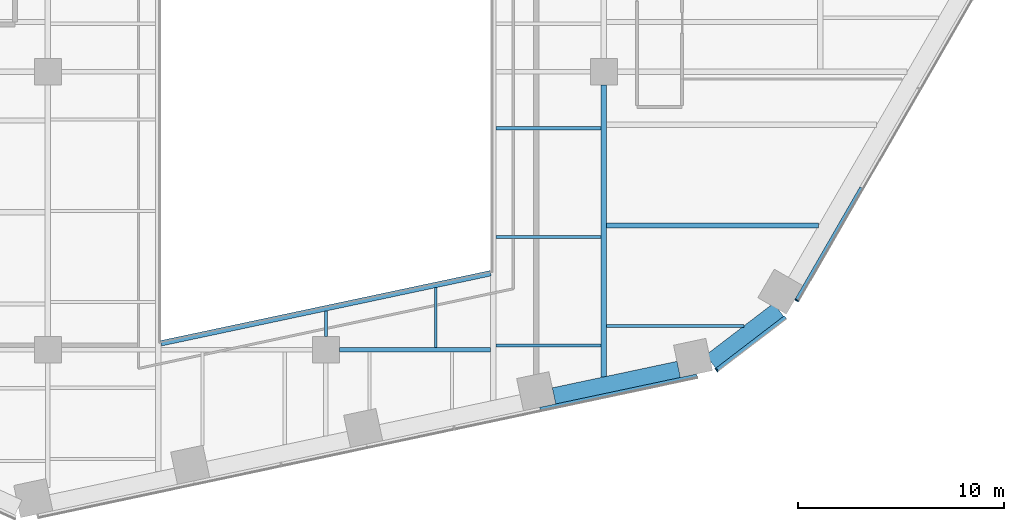
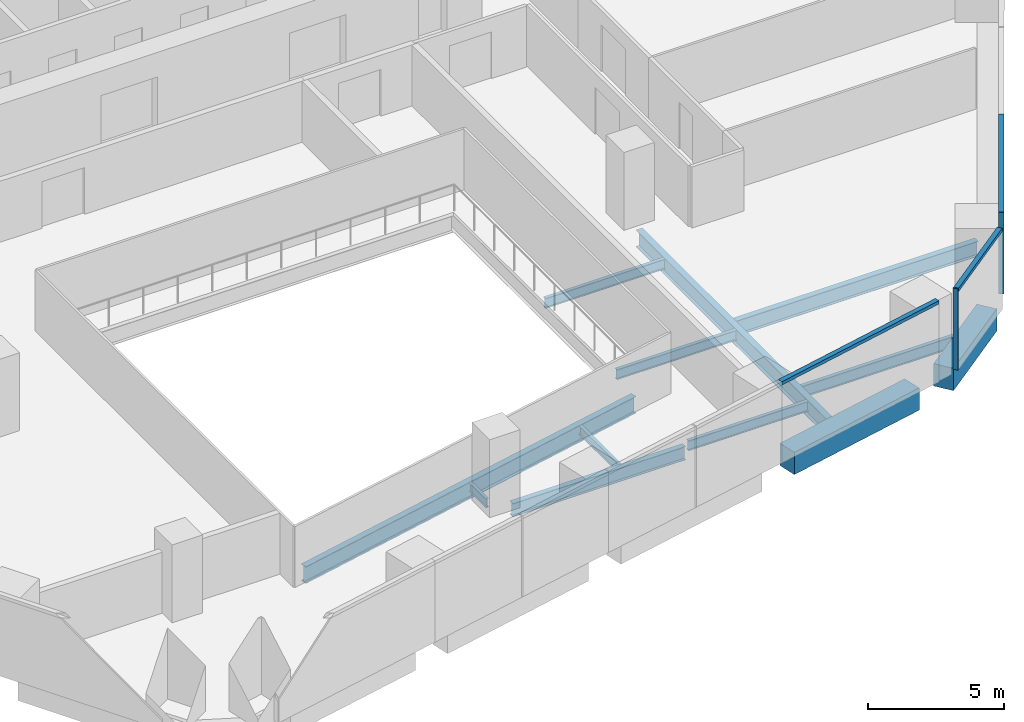
# One storey, part 5 of 21: 12 beams, 5 members, 3 elements without a shape of their own.
"""IFC4 building model written with IfcOpenShell, lengths in metres."""

from ifc_helpers import new_model, si_unit, direction, frame, origin, origin_2d, place, context, subcontext, project, spatial, rectangle, i_section, extrude, material, layer, layer_set, material_profile, profile_set, type_object, element, aggregate, save


model = new_model("IFC4")

# Units and contexts
model_context = context("Model", 3, precision=1e-05, world=origin(), true_north=direction((0.0, 1.0)))
body_context = subcontext(model_context, "Body", "Model", "MODEL_VIEW")
ifc_project = project(units=[si_unit("LENGTHUNIT", "METRE"), si_unit("AREAUNIT", "SQUARE_METRE"), si_unit("VOLUMEUNIT", "CUBIC_METRE"), si_unit("PLANEANGLEUNIT", "RADIAN"), si_unit("MASSUNIT", "GRAM", prefix="KILO")], contexts=[model_context])

# Site, building, storey
site_placement = place(None, origin())
site = spatial("IfcSite", under=ifc_project, at=site_placement, CompositionType="ELEMENT")
building_placement = place(site_placement, origin())
building = spatial("IfcBuilding", under=site, at=building_placement, Name="Isthmus Gate Tower", CompositionType="ELEMENT")
storey_placement = place(building_placement, frame((0.0, 0.0, 106.199951171875)))
storey = spatial("IfcBuildingStorey", under=building, at=storey_placement, Name="L25", CompositionType="ELEMENT", Elevation=106.199951171875)

# Curtain wall, member
ifc_material_1 = material(Name="Aluminium, pale champagne anodised", Category="aluminium")
ifc_layer = layer(ifc_material_1, 0.199951171875)
ifc_layer_set = layer_set([ifc_layer], Name="CW-1 UNITISED CURTAIN WALL 200 DEEP")
curtain_wall_type = type_object("IfcCurtainWallType", Name="CW-1 UNITISED CURTAIN WALL 200 DEEP", PredefinedType="NOTDEFINED", material=ifc_layer_set)
curtain_wall_1_placement = place(storey_placement, origin())
curtain_wall_1 = element("IfcCurtainWall", 1, at=curtain_wall_1_placement, inside=storey, type_object=curtain_wall_type, Name="CW-1 S-SE L25", PredefinedType="NOTDEFINED")
ifc_material_2 = material(Name="Aluminium, pale champagne anodised", Category="aluminium")
ifc_material_profile_1 = material_profile(ifc_material_2, rectangle(XDim=0.06005859375, YDim=0.199951171875, at=origin_2d()), Name="60x200")
ifc_profile_set_1 = profile_set([ifc_material_profile_1], Name="Aluminium, pale champagne anodised")
member_type_1 = type_object("IfcMemberType", Name="CW-1 MULLION 60 X 200", PredefinedType="MULLION", material=ifc_profile_set_1)
member_1_placement = place(storey_placement, frame((18.978759765625, -27.982421875, 0.0), z_axis=(0.0, 0.0, 1.0), x_axis=(0.794188594387, 0.607671355706, 0.0)))
member_1 = element("IfcMember", 2, at=member_1_placement, type_object=member_type_1, Name="CW-1 mullion", PredefinedType="MULLION", context=body_context, shape_type="SweptSolid", body=[
    extrude(rectangle(XDim=0.06005859375, YDim=0.199951171875, at=origin_2d()), origin(), (0.0, 0.0, 1.0), 3.650146484375),
])

curtain_wall_2_placement = place(storey_placement, origin())
curtain_wall_2 = element("IfcCurtainWall", 3, at=curtain_wall_2_placement, inside=storey, type_object=curtain_wall_type, Name="CW-1 SE L25", PredefinedType="NOTDEFINED")
member_2_placement = place(storey_placement, frame((22.863525390625, -24.599365234375, 0.0), z_axis=(0.0, 0.0, 1.0), x_axis=(0.5, 0.866025403784, 0.0)))
member_2 = element("IfcMember", 4, at=member_2_placement, type_object=member_type_1, Name="CW-1 mullion", PredefinedType="MULLION", context=body_context, shape_type="SweptSolid", body=[
    extrude(rectangle(XDim=0.06005859375, YDim=0.199951171875, at=origin_2d()), origin(), (0.0, 0.0, 1.0), 3.650146484375),
])

curtain_wall_3_placement = place(storey_placement, origin())
curtain_wall_3 = element("IfcCurtainWall", 5, at=curtain_wall_3_placement, inside=storey, type_object=curtain_wall_type, Name="CW-1 S L25", PredefinedType="NOTDEFINED")
ifc_material_3 = material(Name="Aluminium, pale champagne anodised", Category="aluminium")
ifc_material_profile_2 = material_profile(ifc_material_3, rectangle(XDim=0.199951171875, YDim=0.14990234375, at=origin_2d()), Name="200x150")
ifc_profile_set_2 = profile_set([ifc_material_profile_2], Name="Aluminium, pale champagne anodised")
member_type_2 = type_object("IfcMemberType", Name="CW-1 TRANSOM 200 X 150", PredefinedType="USERDEFINED", material=ifc_profile_set_2)
member_3_placement = place(storey_placement, frame((10.400146484375, -29.8916015625, 3.574951171875), z_axis=(0.978150565745, 0.207897741047, 0.0), x_axis=(-0.207897741047, 0.978150565745, 0.0)))
member_3 = element("IfcMember", 6, at=member_3_placement, type_object=member_type_2, Name="CW-1 transom", ObjectType="TRANSOM", PredefinedType="USERDEFINED", context=body_context, shape_type="SweptSolid", body=[
    extrude(rectangle(XDim=0.199951171875, YDim=0.14990234375, at=origin_2d()), origin(), (0.0, 0.0, 1.0), 7.789306640625),
])
aggregate(curtain_wall_3, [member_3])

# Member
member_4_placement = place(storey_placement, frame((19.002685546875, -27.96435546875, 3.574951171875), z_axis=(0.794175498212, 0.607688471209, 0.0), x_axis=(-0.607688471209, 0.794175498212, 0.0)))
member_4 = element("IfcMember", 7, at=member_4_placement, type_object=member_type_2, Name="CW-1 transom", ObjectType="TRANSOM", PredefinedType="USERDEFINED", context=body_context, shape_type="SweptSolid", body=[
    extrude(rectangle(XDim=0.199951171875, YDim=0.14990234375, at=origin_2d()), origin(), (0.0, 0.0, 1.0), 4.181396484375),
])

aggregate(curtain_wall_1, [member_1, member_4])

member_5_placement = place(storey_placement, frame((22.87841796875, -24.5732421875, 3.574951171875), z_axis=(0.50002426866, 0.866011391814, 0.0), x_axis=(-0.866011391814, 0.50002426866, 0.0)))
member_5 = element("IfcMember", 8, at=member_5_placement, type_object=member_type_2, Name="CW-1 transom", ObjectType="TRANSOM", PredefinedType="USERDEFINED", context=body_context, shape_type="SweptSolid", body=[
    extrude(rectangle(XDim=0.199951171875, YDim=0.14990234375, at=origin_2d()), origin(), (0.0, 0.0, 1.0), 6.278564453125),
])

aggregate(curtain_wall_2, [member_2, member_5])

# Beams
ifc_material_4 = material(Name="Concrete f'c 70 MPa", Category="concrete")
ifc_material_profile_3 = material_profile(ifc_material_4, rectangle(XDim=0.800048828125, YDim=1.0, at=origin_2d()), Name="RC 800X1000")
ifc_profile_set_3 = profile_set([ifc_material_profile_3], Name="Concrete f'c 70 MPa")
beam_type_1 = type_object("IfcBeamType", Name="RC SPANDREL 800 X 1000", PredefinedType="SPANDREL", material=ifc_profile_set_3)
beam_1_placement = place(storey_placement, frame((21.98681640625, -25.051513671875, -0.5), z_axis=(-0.794205941875, -0.607648682949, 0.0), x_axis=(0.607648682949, -0.794205941875, 0.0)))
element("IfcBeam", 9, at=beam_1_placement, inside=storey, type_object=beam_type_1, Name="str-spandrel-L25-09", PredefinedType="SPANDREL", context=body_context, shape_type="SweptSolid", body=[
    extrude(rectangle(XDim=0.800048828125, YDim=1.0, at=origin_2d()), origin(), (0.0, 0.0, 1.0), 4.15234375),
])
beam_2_placement = place(storey_placement, frame((17.1328125, -27.949462890625, -0.5), z_axis=(-0.978147421176, -0.207912535568, 0.0), x_axis=(0.207912535568, -0.978147421176, 0.0)))
element("IfcBeam", 10, at=beam_2_placement, inside=storey, type_object=beam_type_1, Name="str-spandrel-L25-10", PredefinedType="SPANDREL", context=body_context, shape_type="SweptSolid", body=[
    extrude(rectangle(XDim=0.800048828125, YDim=1.0, at=origin_2d()), origin(), (0.0, 0.0, 1.0), 6.189453125),
])
ifc_material_5 = material(Name="Structural steel ASTM A992 Gr 50", Category="steel")
ifc_material_profile_4 = material_profile(ifc_material_5, i_section(OverallWidth=0.1396484375, OverallDepth=0.4033203125, WebThickness=0.00634765625, FlangeThickness=0.010986328125, at=origin_2d()), Name="W16X31")
ifc_profile_set_4 = profile_set([ifc_material_profile_4], Name="Structural steel ASTM A992 Gr 50")
beam_type_2 = type_object("IfcBeamType", Name="STEEL FLOOR BEAM W16X31", PredefinedType="JOIST", material=ifc_profile_set_4)
beam_3_placement = place(storey_placement, frame((0.0, -26.35009765625, -0.3515625), z_axis=(0.0, 1.0, 0.0), x_axis=(-1.0, 0.0, 0.0)))
element("IfcBeam", 11, at=beam_3_placement, inside=storey, type_object=beam_type_2, Name="str-beam-L25-18-00", PredefinedType="JOIST", context=body_context, shape_type="SweptSolid", body=[
    extrude(i_section(OverallWidth=0.1396484375, OverallDepth=0.4033203125, WebThickness=0.00634765625, FlangeThickness=0.010986328125, at=origin_2d()), origin(), (0.0, 0.0, 1.0), 1.23388671875),
])
beam_4_placement = place(storey_placement, frame((5.333251953125, -26.8857421875, -0.3515625), z_axis=(0.0, 1.0, 0.0), x_axis=(-1.0, 0.0, 0.0)))
element("IfcBeam", 12, at=beam_4_placement, inside=storey, type_object=beam_type_2, Name="str-beam-L25-18-01", PredefinedType="JOIST", context=body_context, shape_type="SweptSolid", body=[
    extrude(i_section(OverallWidth=0.1396484375, OverallDepth=0.4033203125, WebThickness=0.00634765625, FlangeThickness=0.010986328125, at=origin_2d()), origin(), (0.0, 0.0, 1.0), 2.903076171875),
])
ifc_material_6 = material(Name="Structural steel ASTM A992 Gr 50", Category="steel")
ifc_material_profile_5 = material_profile(ifc_material_6, i_section(OverallWidth=0.15234375, OverallDepth=0.45068359375, WebThickness=0.0078125, FlangeThickness=0.010986328125, at=origin_2d()), Name="W18X35")
ifc_profile_set_5 = profile_set([ifc_material_profile_5], Name="Structural steel ASTM A992 Gr 50")
beam_type_3 = type_object("IfcBeamType", Name="STEEL FLOOR BEAM W18X35", PredefinedType="JOIST", material=ifc_profile_set_5)
for number, where, z_axis, x_axis, name in (
    (13, (8.263427734375, -26.788818359375, -0.375244140625), (1.0, 0.0, 0.0), (0.0, 1.0, 0.0), "str-beam-L25-23-00"),
    (14, (8.263427734375, -21.51513671875, -0.375244140625), (1.0, 0.0, 0.0), (0.0, 1.0, 0.0), "str-beam-L25-23-01"),
    (15, (8.263427734375, -16.241455078125, -0.375244140625), (1.0, 0.0, 0.0), (0.0, 1.0, 0.0), "str-beam-L25-23-02"),
):
    element("IfcBeam", number, at=place(storey_placement, frame(where, z_axis=z_axis, x_axis=x_axis)), inside=storey, type_object=beam_type_3, Name=name, PredefinedType="JOIST", context=body_context, shape_type="SweptSolid", body=[
        extrude(i_section(OverallWidth=0.15234375, OverallDepth=0.45068359375, WebThickness=0.0078125, FlangeThickness=0.010986328125, at=origin_2d()), origin(), (0.0, 0.0, 1.0), 5.103271484375),
    ])
ifc_material_7 = material(Name="Structural steel ASTM A992 Gr 50", Category="steel")
ifc_material_profile_6 = material_profile(ifc_material_7, i_section(OverallWidth=0.1650390625, OverallDepth=0.52392578125, WebThickness=0.009521484375, FlangeThickness=0.010986328125, at=origin_2d()), Name="W21X44")
ifc_profile_set_6 = profile_set([ifc_material_profile_6], Name="Structural steel ASTM A992 Gr 50")
beam_type_4 = type_object("IfcBeamType", Name="STEEL FLOOR BEAM W21X44", PredefinedType="JOIST", material=ifc_profile_set_6)
beam_5_placement = place(storey_placement, frame((13.63330078125, -25.842529296875, -0.411865234375), z_axis=(1.0, 0.0, 0.0), x_axis=(0.0, 1.0, 0.0)))
element("IfcBeam", 16, at=beam_5_placement, inside=storey, type_object=beam_type_4, Name="str-beam-L25-28-00", PredefinedType="JOIST", context=body_context, shape_type="SweptSolid", body=[
    extrude(i_section(OverallWidth=0.1650390625, OverallDepth=0.52392578125, WebThickness=0.009521484375, FlangeThickness=0.010986328125, at=origin_2d()), origin(), (0.0, 0.0, 1.0), 6.661376953125),
])
ifc_material_8 = material(Name="Structural steel ASTM A992 Gr 50", Category="steel")
ifc_material_profile_7 = material_profile(ifc_material_8, i_section(OverallWidth=0.25390625, OverallDepth=0.679443359375, WebThickness=0.010986328125, FlangeThickness=0.015869140625, at=origin_2d()), Name="W27X84")
ifc_profile_set_7 = profile_set([ifc_material_profile_7], Name="Structural steel ASTM A992 Gr 50")
beam_type_5 = type_object("IfcBeamType", Name="STEEL FLOOR BEAM W27X84", PredefinedType="JOIST", material=ifc_profile_set_7)
beam_6_placement = place(storey_placement, frame((13.63330078125, -20.958740234375, -0.48974609375), z_axis=(1.0, 0.0, 0.0), x_axis=(0.0, 1.0, 0.0)))
element("IfcBeam", 17, at=beam_6_placement, inside=storey, type_object=beam_type_5, Name="str-beam-L25-28-01", PredefinedType="JOIST", context=body_context, shape_type="SweptSolid", body=[
    extrude(i_section(OverallWidth=0.25390625, OverallDepth=0.679443359375, WebThickness=0.010986328125, FlangeThickness=0.015869140625, at=origin_2d()), origin(), (0.0, 0.0, 1.0), 10.292724609375),
])
ifc_material_9 = material(Name="Structural steel ASTM A992 Gr 50", Category="steel")
ifc_material_profile_8 = material_profile(ifc_material_9, i_section(OverallWidth=0.228515625, OverallDepth=0.603271484375, WebThickness=0.010986328125, FlangeThickness=0.014404296875, at=origin_2d()), Name="W24X68")
ifc_profile_set_8 = profile_set([ifc_material_profile_8], Name="Structural steel ASTM A992 Gr 50")
beam_type_6 = type_object("IfcBeamType", Name="STEEL GIRDER W24X68", PredefinedType="BEAM", material=ifc_profile_set_8)
beam_7_placement = place(storey_placement, frame((0.64990234375, -27.0, -0.45166015625), z_axis=(1.0, 0.0, 0.0), x_axis=(0.0, 1.0, 0.0)))
element("IfcBeam", 18, at=beam_7_placement, inside=storey, type_object=beam_type_6, Name="str-girder-L25-04", PredefinedType="BEAM", context=body_context, shape_type="SweptSolid", body=[
    extrude(i_section(OverallWidth=0.228515625, OverallDepth=0.603271484375, WebThickness=0.010986328125, FlangeThickness=0.014404296875, at=origin_2d()), origin(), (0.0, 0.0, 1.0), 7.35009765625),
])
ifc_material_10 = material(Name="Structural steel ASTM A992 Gr 50", Category="steel")
ifc_material_profile_9 = material_profile(ifc_material_10, i_section(OverallWidth=0.2666015625, OverallDepth=0.7587890625, WebThickness=0.014404296875, FlangeThickness=0.01904296875, at=origin_2d()), Name="W30X108")
ifc_profile_set_9 = profile_set([ifc_material_profile_9], Name="Structural steel ASTM A992 Gr 50")
beam_type_7 = type_object("IfcBeamType", Name="STEEL GIRDER W30X108", PredefinedType="BEAM", material=ifc_profile_set_9)
beam_8_placement = place(storey_placement, frame((13.5, -28.3125, -0.529296875), z_axis=(0.0, 1.0, 0.0), x_axis=(-1.0, 0.0, 0.0)))
element("IfcBeam", 19, at=beam_8_placement, inside=storey, type_object=beam_type_7, Name="str-girder-L25-32", PredefinedType="BEAM", context=body_context, shape_type="SweptSolid", body=[
    extrude(i_section(OverallWidth=0.2666015625, OverallDepth=0.7587890625, WebThickness=0.014404296875, FlangeThickness=0.01904296875, at=origin_2d()), origin(), (0.0, 0.0, 1.0), 14.16259765625),
])
ifc_material_11 = material(Name="Structural steel ASTM A992 Gr 50", Category="steel")
ifc_material_profile_10 = material_profile(ifc_material_11, i_section(OverallWidth=0.2666015625, OverallDepth=0.7587890625, WebThickness=0.014404296875, FlangeThickness=0.01904296875, at=origin_2d()), Name="W30X108")
ifc_profile_set_10 = profile_set([ifc_material_profile_10], Name="Structural steel ASTM A992 Gr 50")
beam_type_8 = type_object("IfcBeamType", Name="STEEL TRIMMER W30X108", PredefinedType="BEAM", material=ifc_profile_set_10)
beam_9_placement = place(storey_placement, frame((-8.0, -26.680419921875, -0.529296875), z_axis=(0.978147924985, 0.20791016533, 0.0), x_axis=(-0.20791016533, 0.978147924985, 0.0)))
element("IfcBeam", 20, at=beam_9_placement, inside=storey, type_object=beam_type_8, Name="str-trimmer-L25-03", PredefinedType="BEAM", context=body_context, shape_type="SweptSolid", body=[
    extrude(i_section(OverallWidth=0.2666015625, OverallDepth=0.7587890625, WebThickness=0.014404296875, FlangeThickness=0.01904296875, at=origin_2d()), origin(), (0.0, 0.0, 1.0), 16.357421875),
])

save(model, "model.ifc")
